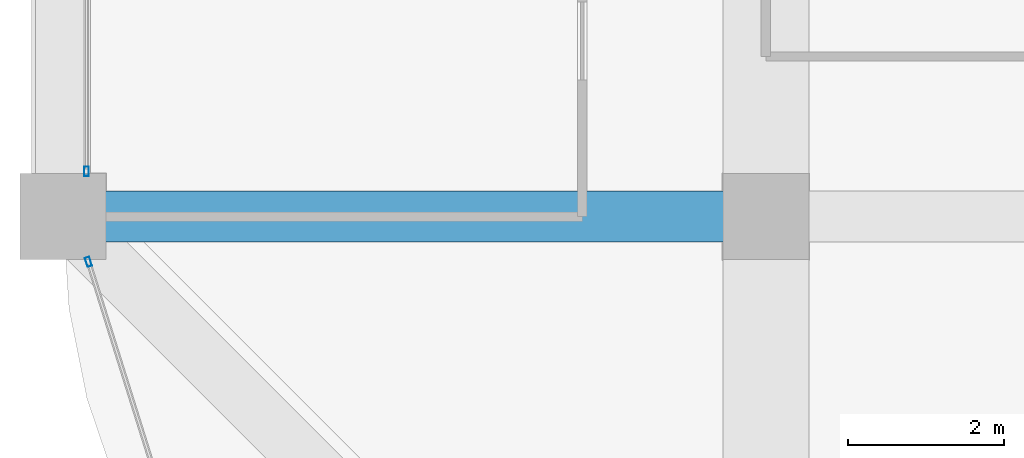
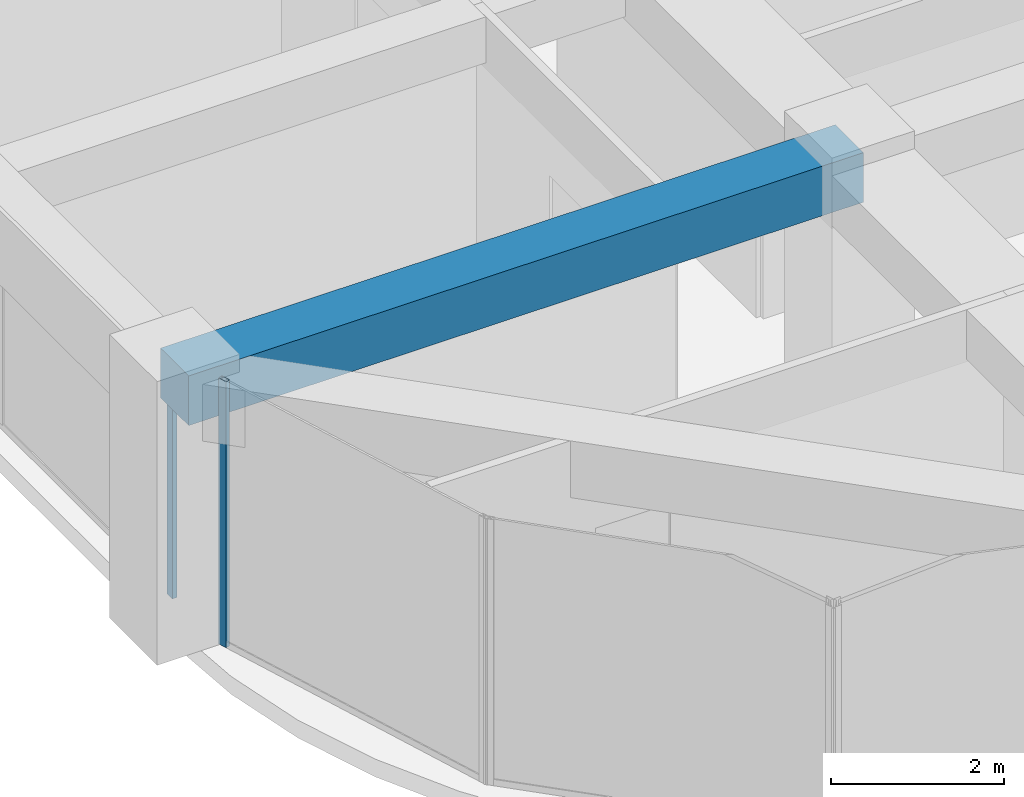
# One storey, part 6 of 44: 2 members, 1 beam, 2 elements without a shape of their own.
"""IFC4 building model written with IfcOpenShell, lengths in metres."""

from ifc_helpers import new_model, si_unit, direction, frame, origin, origin_2d, place, context, subcontext, project, spatial, rectangle, hollow_rectangle, extrude, material, material_profile, profile_set, type_object, element, aggregate, save


model = new_model("IFC4")

# Units and contexts
model_context = context("Model", 3, precision=1e-05, world=origin(), true_north=direction((0.0, 1.0)))
body_context = subcontext(model_context, "Body", "Model", "MODEL_VIEW")
ifc_project = project(units=[si_unit("LENGTHUNIT", "METRE"), si_unit("AREAUNIT", "SQUARE_METRE"), si_unit("VOLUMEUNIT", "CUBIC_METRE"), si_unit("PLANEANGLEUNIT", "RADIAN"), si_unit("MASSUNIT", "GRAM", prefix="KILO")], contexts=[model_context])

# Site, building, storey
site_placement = place(None, origin())
site = spatial("IfcSite", under=ifc_project, at=site_placement, CompositionType="ELEMENT")
building_placement = place(site_placement, origin())
building = spatial("IfcBuilding", under=site, at=building_placement, Name="Zorevar Civic Tower", CompositionType="ELEMENT")
storey_placement = place(building_placement, frame((0.0, 0.0, 259.39990234375)))
storey = spatial("IfcBuildingStorey", under=building, at=storey_placement, Name="L63", CompositionType="ELEMENT", Elevation=259.39990234375)

# Beam
ifc_material_1 = material(Name="Concrete C50/60", Category="concrete")
ifc_material_profile_1 = material_profile(ifc_material_1, rectangle(XDim=0.64990234375, YDim=0.699951171875, at=origin_2d()), Name="RC 650x700")
ifc_profile_set_1 = profile_set([ifc_material_profile_1], Name="Concrete C50/60")
beam_type = type_object("IfcBeamType", Name="Beam RC 650x700", PredefinedType="BEAM", material=ifc_profile_set_1)
beam_placement = place(storey_placement, frame((9.0, 9.0, 3.400146484375), z_axis=(1.0, 0.0, 0.0), x_axis=(0.0, 1.0, 0.0)))
element("IfcBeam", 1, at=beam_placement, inside=storey, type_object=beam_type, Name="Girder L64", PredefinedType="BEAM", context=body_context, shape_type="SweptSolid", body=[
    extrude(rectangle(XDim=0.64990234375, YDim=0.699951171875, at=origin_2d()), origin(), (0.0, 0.0, 1.0), 9.0),
])

# Curtain wall, member
ifc_material_2 = material(Name="Dark grey solar-control glass in black aluminium frame", Category="aluminium")
curtain_wall_type = type_object("IfcCurtainWallType", Name="Curtain wall CW5 top zone", PredefinedType="NOTDEFINED", material=ifc_material_2)
curtain_wall_1_placement = place(storey_placement, origin())
curtain_wall_1 = element("IfcCurtainWall", 2, at=curtain_wall_1_placement, inside=storey, type_object=curtain_wall_type, Name="CW5 L63", PredefinedType="NOTDEFINED")
ifc_material_3 = material(Name="Aluminium, black anodised", Category="aluminium")
ifc_material_profile_2 = material_profile(ifc_material_3, hollow_rectangle(XDim=0.06005859375, YDim=0.1201171875, WallThickness=0.0029296875, at=origin_2d()), Name="AL 120x60x3")
ifc_profile_set_2 = profile_set([ifc_material_profile_2], Name="Aluminium, black anodised")
member_type = type_object("IfcMemberType", Name="CW5 mullion AL 120x60x3", PredefinedType="MULLION", material=ifc_profile_set_2)
member_1_placement = place(storey_placement, frame((9.300048828125, 9.580078125, 0.0), z_axis=(0.0, 0.0, 1.0), x_axis=(-1.0, 0.0, 0.0)))
member_1 = element("IfcMember", 3, at=member_1_placement, type_object=member_type, Name="CW5 mullion 1", PredefinedType="MULLION", context=body_context, shape_type="SweptSolid", body=[
    extrude(hollow_rectangle(XDim=0.06005859375, YDim=0.1201171875, WallThickness=0.0029296875, at=origin_2d()), origin(), (0.0, 0.0, 1.0), 2.9501953125),
])
aggregate(curtain_wall_1, [member_1])

curtain_wall_2_placement = place(storey_placement, origin())
curtain_wall_2 = element("IfcCurtainWall", 4, at=curtain_wall_2_placement, inside=storey, type_object=curtain_wall_type, Name="CW5 L63", PredefinedType="NOTDEFINED")
member_2_placement = place(storey_placement, frame((9.326416015625, 8.42138671875, 0.0), z_axis=(0.0, 0.0, 1.0), x_axis=(0.954153437674, 0.299317920238, 0.0)))
member_2 = element("IfcMember", 5, at=member_2_placement, type_object=member_type, Name="CW5 mullion 1", PredefinedType="MULLION", context=body_context, shape_type="SweptSolid", body=[
    extrude(hollow_rectangle(XDim=0.06005859375, YDim=0.1201171875, WallThickness=0.0029296875, at=origin_2d()), origin(), (0.0, 0.0, 1.0), 3.75),
])
aggregate(curtain_wall_2, [member_2])

save(model, "model.ifc")
